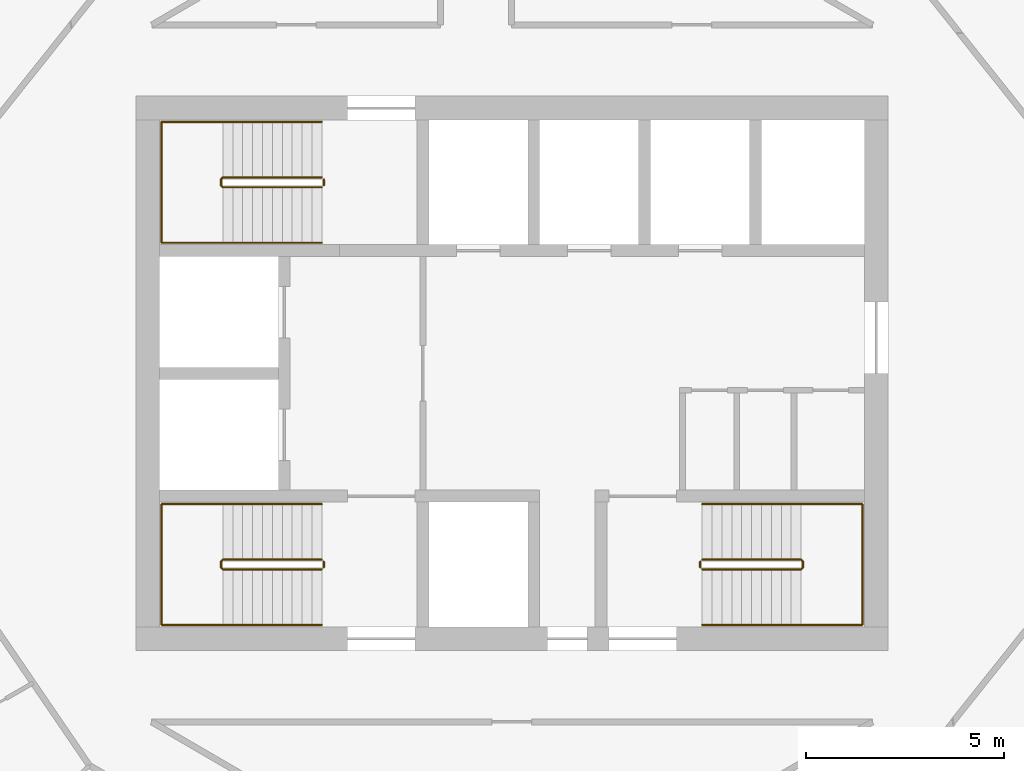
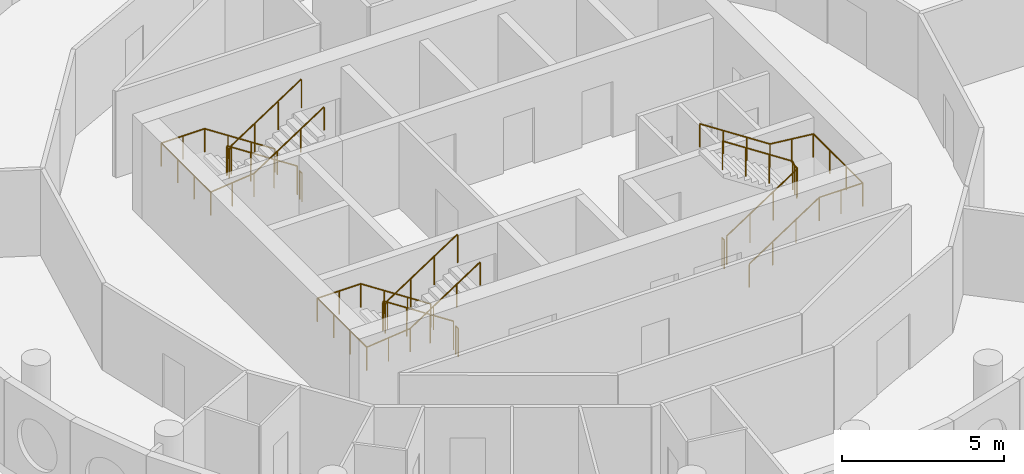
# One storey, part 12 of 12: 9 railings.
"""IFC4 building model written with IfcOpenShell, lengths in metres."""

import ifcopenshell
import ifcopenshell.guid

model = None  # the IFC model being written
_history = None  # IfcOwnerHistory: only IFC2X3 demands one
_inside = {}  # id of a spatial element -> (the spatial element, [elements in it])
_under = {}  # id of a project, library or spatial element -> (it, [spatial elements below it])
_declared = {}  # id of a project -> (the project, [libraries it declares])
_typed = {}  # id of a type object -> (the type object, [elements of that type])
_made_of = {}  # id of a material, layer set ... -> (it, [elements and type objects made of it])


def new_model(schema):
    """Start an empty IFC model of exactly this schema.

    Asked for "IFC4X3", IfcOpenShell would pick the latest addendum, in which some entities
    have other attributes; the version numbers below select the first issue.
    IFC2X3 requires an IfcOwnerHistory on every rooted entity: one is made here for all.
    """
    global model, _history
    if schema == "IFC4X3":
        model = ifcopenshell.file(schema_version=(4, 3, 0, 0))
    else:
        model = ifcopenshell.file(schema=schema)
    _inside.clear()
    _under.clear()
    _declared.clear()
    _typed.clear()
    _made_of.clear()
    _history = None
    if model.schema == "IFC2X3":
        org = make("IfcOrganization", Name="unknown")
        user = make(
            "IfcPersonAndOrganization",
            ThePerson=make("IfcPerson", FamilyName="unknown"),
            TheOrganization=org,
        )
        app = make(
            "IfcApplication",
            ApplicationDeveloper=org,
            Version="unknown",
            ApplicationFullName="unknown",
            ApplicationIdentifier="unknown",
        )
        _history = make(
            "IfcOwnerHistory",
            OwningUser=user,
            OwningApplication=app,
            ChangeAction="ADDED",
            CreationDate=0,
        )
    return model


def make(cls, **values):
    """One entity of the class cls with the attributes given. An attribute that is None is left unset."""
    return model.create_entity(
        cls, **{name: value for name, value in values.items() if value is not None}
    )


def rooted(cls, **values):
    """An entity with a GlobalId (a new one), such as an element, a storey or a relation."""
    return make(cls, GlobalId=ifcopenshell.guid.new(), OwnerHistory=_history, **values)


def si_unit(unit_type, name, prefix=None):
    """IfcSIUnit, for example si_unit("LENGTHUNIT", "METRE", prefix="MILLI")."""
    return make("IfcSIUnit", UnitType=unit_type, Prefix=prefix, Name=name)


def assignment(units):
    """IfcUnitAssignment: the units of a project."""
    return None if units is None else make("IfcUnitAssignment", Units=units)


def point(xyz):
    """IfcCartesianPoint."""
    return None if xyz is None else make("IfcCartesianPoint", Coordinates=xyz)


def direction(xyz):
    """IfcDirection."""
    return None if xyz is None else make("IfcDirection", DirectionRatios=xyz)


def frame(location, z_axis=None, x_axis=None):
    """IfcAxis2Placement3D, a coordinate frame: its origin and axes. An axis left out is left unset."""
    return make(
        "IfcAxis2Placement3D",
        Location=point(location),
        Axis=direction(z_axis),
        RefDirection=direction(x_axis),
    )


def frame_2d(location, x_axis=None):
    """IfcAxis2Placement2D, a coordinate frame in the plane: its origin and x axis."""
    return make(
        "IfcAxis2Placement2D", Location=point(location), RefDirection=direction(x_axis)
    )


def origin():
    """The frame at (0, 0, 0) with its axes left unset."""
    return frame((0.0, 0.0, 0.0))


def origin_2d():
    """The frame at (0, 0) in the plane with its x axis left unset."""
    return frame_2d((0.0, 0.0))


def place(relative_to, where):
    """IfcLocalPlacement: puts the frame where relative to a parent placement (None: the world)."""
    return make(
        "IfcLocalPlacement", PlacementRelTo=relative_to, RelativePlacement=where
    )


def context(
    kind, dimensions, precision=None, world=None, true_north=None, identifier=None
):
    """IfcGeometricRepresentationContext, for example the 3D "Model" context."""
    return make(
        "IfcGeometricRepresentationContext",
        ContextIdentifier=identifier,
        ContextType=kind,
        CoordinateSpaceDimension=dimensions,
        Precision=precision,
        WorldCoordinateSystem=world,
        TrueNorth=true_north,
    )


def subcontext(parent, identifier, kind, view, scale=None):
    """IfcGeometricRepresentationSubContext, for example "Body" below "Model"."""
    return make(
        "IfcGeometricRepresentationSubContext",
        ContextIdentifier=identifier,
        ContextType=kind,
        ParentContext=parent,
        TargetScale=scale,
        TargetView=view,
    )


def project(units=None, contexts=None):
    """IfcProject with its units and contexts."""
    return rooted(
        "IfcProject",
        Name="project",
        RepresentationContexts=contexts,
        UnitsInContext=assignment(units),
    )


def spatial(cls, under=None, at=None, **own):
    """A site, building, storey or space (cls), placed at a placement, below another one or the project."""
    s = rooted(cls, ObjectPlacement=at, **own)
    if under is not None:
        _under.setdefault(under.id(), (under, []))[1].append(s)
    return s


def profile(cls, at=None, kind="AREA", **sizes):
    """A parametric profile (cls). Its sizes go by their IFC names, for example OverallWidth=200.0."""
    return make(cls, ProfileType=kind, Position=at, **sizes)


def circle(**sizes):
    """IfcCircleProfileDef."""
    return profile("IfcCircleProfileDef", **sizes)


def extrude(swept, where, along, depth):
    """IfcExtrudedAreaSolid: the profile swept, set in the frame where, extruded along a direction by depth."""
    return make(
        "IfcExtrudedAreaSolid",
        SweptArea=swept,
        Position=where,
        ExtrudedDirection=direction(along),
        Depth=depth,
    )


def shape(context_of_items, identifier, shape_type, items):
    """IfcShapeRepresentation: the items that make up one representation, for example the "Body"."""
    return make(
        "IfcShapeRepresentation",
        ContextOfItems=context_of_items,
        RepresentationIdentifier=identifier,
        RepresentationType=shape_type,
        Items=items,
    )


def material(Name=None, Category=None):
    """IfcMaterial."""
    return make("IfcMaterial", Name=Name, Category=Category)


def made_of(thing, what):
    """Note that an element or type object is made of a material, layer set ...; save() writes the relation."""
    if what is not None:
        _made_of.setdefault(what.id(), (what, []))[1].append(thing)
    return thing


def type_object(cls, material=None, **own):
    """A type object (cls), such as IfcWallType, which elements share."""
    return made_of(rooted(cls, **own), material)


def element(
    cls,
    number,
    at=None,
    inside=None,
    cuts=None,
    type_object=None,
    material=None,
    context=None,
    identifier="Body",
    shape_type=None,
    held_by="IfcProductDefinitionShape",
    body=None,
    shapes=None,
    **own,
):
    """One element of the class cls, such as IfcWall. Its Tag is "e" and its number.

    at: its placement. inside: the storey or other place that contains it. cuts: it is an
    opening in that element (IfcRelVoidsElement). A single representation is given by context,
    identifier, shape_type and body (its items); several are given by shapes. held_by: the class
    of the entity that holds the representations. save() writes the other relations.
    """
    e = rooted(cls, Tag="e%d" % number, ObjectPlacement=at, **own)
    if body is not None:
        shapes = [shape(context, identifier, shape_type, body)]
    if shapes is not None:
        e.Representation = make(held_by, Representations=shapes)
    if inside is not None:
        _inside.setdefault(inside.id(), (inside, []))[1].append(e)
    if cuts is not None:
        rooted(
            "IfcRelVoidsElement", RelatingBuildingElement=cuts, RelatedOpeningElement=e
        )
    if type_object is not None:
        _typed.setdefault(type_object.id(), (type_object, []))[1].append(e)
    return made_of(e, material)


def aggregate(whole, parts):
    """IfcRelAggregates: a whole, such as a stair, and the parts it consists of."""
    return rooted("IfcRelAggregates", RelatingObject=whole, RelatedObjects=parts)


def save(model, path):
    """Write the relations noted so far, then the file.

    IfcRelAggregates (storeys below a building ...), IfcRelContainedInSpatialStructure (elements
    in a storey), IfcRelDefinesByType, IfcRelAssociatesMaterial and IfcRelDeclares: one each for
    every whole, place, type object, material and project.
    """
    for whole, parts in _under.values():
        aggregate(whole, parts)
    for where, things in _inside.values():
        rooted(
            "IfcRelContainedInSpatialStructure",
            RelatedElements=things,
            RelatingStructure=where,
        )
    for kind, things in _typed.values():
        rooted("IfcRelDefinesByType", RelatedObjects=things, RelatingType=kind)
    for what, things in _made_of.values():
        rooted("IfcRelAssociatesMaterial", RelatedObjects=things, RelatingMaterial=what)
    for by, libraries in _declared.values():
        rooted("IfcRelDeclares", RelatingContext=by, RelatedDefinitions=libraries)
    model.write(path)


model = new_model("IFC4")

# Units and contexts
model_context = context("Model", 3, precision=1e-05, world=origin(), true_north=direction((0.0, 1.0)))
body_context = subcontext(model_context, "Body", "Model", "MODEL_VIEW")
ifc_project = project(units=[si_unit("LENGTHUNIT", "METRE"), si_unit("AREAUNIT", "SQUARE_METRE"), si_unit("VOLUMEUNIT", "CUBIC_METRE"), si_unit("PLANEANGLEUNIT", "RADIAN"), si_unit("MASSUNIT", "GRAM", prefix="KILO")], contexts=[model_context])

# Site, building, storey
site_placement = place(None, origin())
site = spatial("IfcSite", under=ifc_project, at=site_placement, CompositionType="ELEMENT")
building_placement = place(site_placement, origin())
building = spatial("IfcBuilding", under=site, at=building_placement, Name="Tracery Tower", CompositionType="ELEMENT")
storey_placement = place(building_placement, frame((0.0, 0.0, 327.0)))
storey = spatial("IfcBuildingStorey", under=building, at=storey_placement, Name="L85", CompositionType="ELEMENT", Elevation=327.0)

# Railings
ifc_material_1 = material(Name="Stainless steel and laminated glass", Category="steel")
railing_type_1 = type_object("IfcRailingType", Name="Stair guard 1100", PredefinedType="GUARDRAIL", material=ifc_material_1)
railing_1_placement = place(storey_placement, frame((-4.800048828125, -4.699951171875, 0.16357421875)))
element("IfcRailing", 1, at=railing_1_placement, inside=storey, type_object=railing_type_1, Name="L85 stair ST1 guard 1", PredefinedType="GUARDRAIL", context=body_context, shape_type="SweptSolid", body=[
    extrude(circle(Radius=0.02392578125, at=origin_2d()), frame((0.0, 0.0, 1.076171875), z_axis=(-0.83668449804, 0.0, 0.54768517484), x_axis=(0.0, -1.0, 0.0)), (0.0, 0.0, 1.0), 2.988037109375),
    extrude(circle(Radius=0.02392578125, at=origin_2d()), frame((-2.5, 0.0, 2.71240234375), z_axis=(-0.707106781187, -0.707106781187, 0.0), x_axis=(0.707106781187, -0.707106781187, 0.0)), (0.0, 0.0, 1.0), 0.07080078125),
    extrude(circle(Radius=0.02392578125, at=origin_2d()), frame((-2.550048828125, -0.050048828125, 2.71240234375), z_axis=(0.0, -1.0, 0.0), x_axis=(1.0, 0.0, 0.0)), (0.0, 0.0, 1.0), 0.14990234375),
    extrude(circle(Radius=0.02392578125, at=origin_2d()), frame((-2.550048828125, -0.199951171875, 2.71240234375), z_axis=(0.280808744504, -0.280808744504, 0.917765164963), x_axis=(0.707106781187, 0.707106781187, 0.0)), (0.0, 0.0, 1.0), 0.17822265625),
    extrude(circle(Radius=0.02392578125, at=origin_2d()), frame((-2.5, -0.25, 2.8759765625), z_axis=(0.83668449804, 0.0, 0.54768517484), x_axis=(0.0, 1.0, 0.0)), (0.0, 0.0, 1.0), 2.988037109375),
    extrude(circle(Radius=0.02099609375, at=origin_2d()), origin(), (0.0, 0.0, 1.0), 1.052001953125),
    extrude(circle(Radius=0.02099609375, at=origin_2d()), frame((-0.833251953125, 0.0, 0.54541015625)), (0.0, 0.0, 1.0), 1.052001953125),
    extrude(circle(Radius=0.02099609375, at=origin_2d()), frame((-1.666748046875, 0.0, 1.091064453125)), (0.0, 0.0, 1.0), 1.052001953125),
    extrude(circle(Radius=0.02099609375, at=origin_2d()), frame((-2.5, 0.0, 1.636474609375)), (0.0, 0.0, 1.0), 1.052001953125),
    extrude(circle(Radius=0.02099609375, at=origin_2d()), frame((-2.550048828125, -0.050048828125, 1.636474609375)), (0.0, 0.0, 1.0), 1.052001953125),
    extrude(circle(Radius=0.02099609375, at=origin_2d()), frame((-2.550048828125, -0.199951171875, 1.636474609375)), (0.0, 0.0, 1.0), 1.052001953125),
    extrude(circle(Radius=0.02099609375, at=origin_2d()), frame((-2.5, -0.25, 1.800048828125)), (0.0, 0.0, 1.0), 1.052001953125),
    extrude(circle(Radius=0.02099609375, at=origin_2d()), frame((-1.666748046875, -0.25, 2.345458984375)), (0.0, 0.0, 1.0), 1.052001953125),
    extrude(circle(Radius=0.02099609375, at=origin_2d()), frame((-0.833251953125, -0.25, 2.89111328125)), (0.0, 0.0, 1.0), 1.052001953125),
    extrude(circle(Radius=0.02099609375, at=origin_2d()), frame((0.0, -0.25, 3.4365234375)), (0.0, 0.0, 1.0), 1.052001953125),
])
railing_2_placement = place(storey_placement, frame((-4.75, -4.75, 0.0)))
element("IfcRailing", 2, at=railing_2_placement, inside=storey, type_object=railing_type_1, Name="L85 stair ST1 guard 2", PredefinedType="GUARDRAIL", context=body_context, shape_type="SweptSolid", body=[
    extrude(circle(Radius=0.02392578125, at=origin_2d()), frame((0.0, 0.0, 1.076171875), z_axis=(0.0, -1.0, 0.0), x_axis=(1.0, 0.0, 0.0)), (0.0, 0.0, 1.0), 0.14990234375),
    extrude(circle(Radius=0.02099609375, at=origin_2d()), origin(), (0.0, 0.0, 1.0), 1.052001953125),
    extrude(circle(Radius=0.02099609375, at=origin_2d()), frame((0.0, -0.14990234375, 0.0)), (0.0, 0.0, 1.0), 1.052001953125),
])
railing_3_placement = place(storey_placement, frame((-4.800048828125, 4.949951171875, 0.16357421875)))
element("IfcRailing", 3, at=railing_3_placement, inside=storey, type_object=railing_type_1, Name="L85 stair ST3 guard 1", PredefinedType="GUARDRAIL", context=body_context, shape_type="SweptSolid", body=[
    extrude(circle(Radius=0.02392578125, at=origin_2d()), frame((0.0, 0.0, 1.076171875), z_axis=(-0.83668449804, 0.0, 0.54768517484), x_axis=(0.0, -1.0, 0.0)), (0.0, 0.0, 1.0), 2.988037109375),
    extrude(circle(Radius=0.02392578125, at=origin_2d()), frame((-2.5, 0.0, 2.71240234375), z_axis=(-0.707106781187, -0.707106781187, 0.0), x_axis=(0.707106781187, -0.707106781187, 0.0)), (0.0, 0.0, 1.0), 0.07080078125),
    extrude(circle(Radius=0.02392578125, at=origin_2d()), frame((-2.550048828125, -0.050048828125, 2.71240234375), z_axis=(0.0, -1.0, 0.0), x_axis=(1.0, 0.0, 0.0)), (0.0, 0.0, 1.0), 0.14990234375),
    extrude(circle(Radius=0.02392578125, at=origin_2d()), frame((-2.550048828125, -0.199951171875, 2.71240234375), z_axis=(0.280808744504, -0.280808744504, 0.917765164963), x_axis=(0.707106781187, 0.707106781187, 0.0)), (0.0, 0.0, 1.0), 0.17822265625),
    extrude(circle(Radius=0.02392578125, at=origin_2d()), frame((-2.5, -0.25, 2.8759765625), z_axis=(0.83668449804, 0.0, 0.54768517484), x_axis=(0.0, 1.0, 0.0)), (0.0, 0.0, 1.0), 2.988037109375),
    extrude(circle(Radius=0.02099609375, at=origin_2d()), origin(), (0.0, 0.0, 1.0), 1.052001953125),
    extrude(circle(Radius=0.02099609375, at=origin_2d()), frame((-0.833251953125, 0.0, 0.54541015625)), (0.0, 0.0, 1.0), 1.052001953125),
    extrude(circle(Radius=0.02099609375, at=origin_2d()), frame((-1.666748046875, 0.0, 1.091064453125)), (0.0, 0.0, 1.0), 1.052001953125),
    extrude(circle(Radius=0.02099609375, at=origin_2d()), frame((-2.5, 0.0, 1.636474609375)), (0.0, 0.0, 1.0), 1.052001953125),
    extrude(circle(Radius=0.02099609375, at=origin_2d()), frame((-2.550048828125, -0.050048828125, 1.636474609375)), (0.0, 0.0, 1.0), 1.052001953125),
    extrude(circle(Radius=0.02099609375, at=origin_2d()), frame((-2.550048828125, -0.199951171875, 1.636474609375)), (0.0, 0.0, 1.0), 1.052001953125),
    extrude(circle(Radius=0.02099609375, at=origin_2d()), frame((-2.5, -0.25, 1.800048828125)), (0.0, 0.0, 1.0), 1.052001953125),
    extrude(circle(Radius=0.02099609375, at=origin_2d()), frame((-1.666748046875, -0.25, 2.345458984375)), (0.0, 0.0, 1.0), 1.052001953125),
    extrude(circle(Radius=0.02099609375, at=origin_2d()), frame((-0.833251953125, -0.25, 2.89111328125)), (0.0, 0.0, 1.0), 1.052001953125),
    extrude(circle(Radius=0.02099609375, at=origin_2d()), frame((0.0, -0.25, 3.4365234375)), (0.0, 0.0, 1.0), 1.052001953125),
])
railing_4_placement = place(storey_placement, frame((-4.75, 4.89990234375, 0.0)))
element("IfcRailing", 4, at=railing_4_placement, inside=storey, type_object=railing_type_1, Name="L85 stair ST3 guard 2", PredefinedType="GUARDRAIL", context=body_context, shape_type="SweptSolid", body=[
    extrude(circle(Radius=0.02392578125, at=origin_2d()), frame((0.0, 0.0, 1.076171875), z_axis=(0.0, -1.0, 0.0), x_axis=(1.0, 0.0, 0.0)), (0.0, 0.0, 1.0), 0.14990234375),
    extrude(circle(Radius=0.02099609375, at=origin_2d()), origin(), (0.0, 0.0, 1.0), 1.052001953125),
    extrude(circle(Radius=0.02099609375, at=origin_2d()), frame((0.0, -0.14990234375, 0.0)), (0.0, 0.0, 1.0), 1.052001953125),
])
railing_5_placement = place(storey_placement, frame((4.800048828125, -4.949951171875, 0.16357421875)))
element("IfcRailing", 5, at=railing_5_placement, inside=storey, type_object=railing_type_1, Name="L85 stair ST2 guard 1", PredefinedType="GUARDRAIL", context=body_context, shape_type="SweptSolid", body=[
    extrude(circle(Radius=0.02392578125, at=origin_2d()), frame((0.0, 0.0, 1.076171875), z_axis=(0.83668449804, 0.0, 0.54768517484), x_axis=(0.0, 1.0, 0.0)), (0.0, 0.0, 1.0), 2.988037109375),
    extrude(circle(Radius=0.02392578125, at=origin_2d()), frame((2.5, 0.0, 2.71240234375), z_axis=(0.707106781187, 0.707106781187, 0.0), x_axis=(-0.707106781187, 0.707106781187, 0.0)), (0.0, 0.0, 1.0), 0.07080078125),
    extrude(circle(Radius=0.02392578125, at=origin_2d()), frame((2.550048828125, 0.050048828125, 2.71240234375), z_axis=(0.0, 1.0, 0.0), x_axis=(-1.0, 0.0, 0.0)), (0.0, 0.0, 1.0), 0.14990234375),
    extrude(circle(Radius=0.02392578125, at=origin_2d()), frame((2.550048828125, 0.199951171875, 2.71240234375), z_axis=(-0.280808744504, 0.280808744504, 0.917765164963), x_axis=(-0.707106781187, -0.707106781187, 0.0)), (0.0, 0.0, 1.0), 0.17822265625),
    extrude(circle(Radius=0.02392578125, at=origin_2d()), frame((2.5, 0.25, 2.8759765625), z_axis=(-0.83668449804, 0.0, 0.54768517484), x_axis=(0.0, -1.0, 0.0)), (0.0, 0.0, 1.0), 2.988037109375),
    extrude(circle(Radius=0.02099609375, at=origin_2d()), origin(), (0.0, 0.0, 1.0), 1.052001953125),
    extrude(circle(Radius=0.02099609375, at=origin_2d()), frame((0.833251953125, 0.0, 0.54541015625)), (0.0, 0.0, 1.0), 1.052001953125),
    extrude(circle(Radius=0.02099609375, at=origin_2d()), frame((1.666748046875, 0.0, 1.091064453125)), (0.0, 0.0, 1.0), 1.052001953125),
    extrude(circle(Radius=0.02099609375, at=origin_2d()), frame((2.5, 0.0, 1.636474609375)), (0.0, 0.0, 1.0), 1.052001953125),
    extrude(circle(Radius=0.02099609375, at=origin_2d()), frame((2.550048828125, 0.050048828125, 1.636474609375)), (0.0, 0.0, 1.0), 1.052001953125),
    extrude(circle(Radius=0.02099609375, at=origin_2d()), frame((2.550048828125, 0.199951171875, 1.636474609375)), (0.0, 0.0, 1.0), 1.052001953125),
    extrude(circle(Radius=0.02099609375, at=origin_2d()), frame((2.5, 0.25, 1.800048828125)), (0.0, 0.0, 1.0), 1.052001953125),
    extrude(circle(Radius=0.02099609375, at=origin_2d()), frame((1.666748046875, 0.25, 2.345458984375)), (0.0, 0.0, 1.0), 1.052001953125),
    extrude(circle(Radius=0.02099609375, at=origin_2d()), frame((0.833251953125, 0.25, 2.89111328125)), (0.0, 0.0, 1.0), 1.052001953125),
    extrude(circle(Radius=0.02099609375, at=origin_2d()), frame((0.0, 0.25, 3.4365234375)), (0.0, 0.0, 1.0), 1.052001953125),
])
railing_6_placement = place(storey_placement, frame((4.75, -4.89990234375, 0.0)))
element("IfcRailing", 6, at=railing_6_placement, inside=storey, type_object=railing_type_1, Name="L85 stair ST2 guard 2", PredefinedType="GUARDRAIL", context=body_context, shape_type="SweptSolid", body=[
    extrude(circle(Radius=0.02392578125, at=origin_2d()), frame((0.0, 0.0, 1.076171875), z_axis=(0.0, 1.0, 0.0), x_axis=(-1.0, 0.0, 0.0)), (0.0, 0.0, 1.0), 0.14990234375),
    extrude(circle(Radius=0.02099609375, at=origin_2d()), origin(), (0.0, 0.0, 1.0), 1.052001953125),
    extrude(circle(Radius=0.02099609375, at=origin_2d()), frame((0.0, 0.14990234375, 0.0)), (0.0, 0.0, 1.0), 1.052001953125),
])
ifc_material_2 = material(Name="Stainless steel and laminated glass", Category="steel")
railing_type_2 = type_object("IfcRailingType", Name="Stair handrail 900", PredefinedType="HANDRAIL", material=ifc_material_2)
railing_7_placement = place(storey_placement, frame((-4.800048828125, -3.300048828125, 0.16357421875)))
element("IfcRailing", 7, at=railing_7_placement, inside=storey, type_object=railing_type_2, Name="L85 stair ST1 handrail 1", PredefinedType="HANDRAIL", context=body_context, shape_type="SweptSolid", body=[
    extrude(circle(Radius=0.02392578125, at=origin_2d()), frame((0.0, 0.0, 0.8759765625), z_axis=(-0.83668449804, 0.0, 0.54768517484), x_axis=(0.0, -1.0, 0.0)), (0.0, 0.0, 1.0), 2.988037109375),
    extrude(circle(Radius=0.02392578125, at=origin_2d()), frame((-2.5, 0.0, 2.51220703125), z_axis=(-1.0, 0.0, 0.0), x_axis=(0.0, -1.0, 0.0)), (0.0, 0.0, 1.0), 1.550048828125),
    extrude(circle(Radius=0.02392578125, at=origin_2d()), frame((-4.050048828125, 0.0, 2.51220703125), z_axis=(0.0, -1.0, 0.0), x_axis=(1.0, 0.0, 0.0)), (0.0, 0.0, 1.0), 3.050048828125),
    extrude(circle(Radius=0.02392578125, at=origin_2d()), frame((-4.050048828125, -3.050048828125, 2.51220703125), z_axis=(0.994477953863, 0.0, 0.104945696817), x_axis=(0.0, 1.0, 0.0)), (0.0, 0.0, 1.0), 1.55859375),
    extrude(circle(Radius=0.02392578125, at=origin_2d()), frame((-2.5, -3.050048828125, 2.67578125), z_axis=(0.83668449804, 0.0, 0.54768517484), x_axis=(0.0, 1.0, 0.0)), (0.0, 0.0, 1.0), 2.988037109375),
    extrude(circle(Radius=0.02099609375, at=origin_2d()), origin(), (0.0, 0.0, 1.0), 0.851806640625),
    extrude(circle(Radius=0.02099609375, at=origin_2d()), frame((-0.833251953125, 0.0, 0.54541015625)), (0.0, 0.0, 1.0), 0.851806640625),
    extrude(circle(Radius=0.02099609375, at=origin_2d()), frame((-1.666748046875, 0.0, 1.091064453125)), (0.0, 0.0, 1.0), 0.851806640625),
    extrude(circle(Radius=0.02099609375, at=origin_2d()), frame((-2.5, 0.0, 1.636474609375)), (0.0, 0.0, 1.0), 0.851806640625),
    extrude(circle(Radius=0.02099609375, at=origin_2d()), frame((-3.27490234375, 0.0, 1.636474609375)), (0.0, 0.0, 1.0), 0.851806640625),
    extrude(circle(Radius=0.02099609375, at=origin_2d()), frame((-4.050048828125, 0.0, 1.636474609375)), (0.0, 0.0, 1.0), 0.851806640625),
    extrude(circle(Radius=0.02099609375, at=origin_2d()), frame((-4.050048828125, -1.0166015625, 1.636474609375)), (0.0, 0.0, 1.0), 0.851806640625),
    extrude(circle(Radius=0.02099609375, at=origin_2d()), frame((-4.050048828125, -2.033447265625, 1.636474609375)), (0.0, 0.0, 1.0), 0.851806640625),
    extrude(circle(Radius=0.02099609375, at=origin_2d()), frame((-4.050048828125, -3.050048828125, 1.636474609375)), (0.0, 0.0, 1.0), 0.851806640625),
    extrude(circle(Radius=0.02099609375, at=origin_2d()), frame((-3.27490234375, -3.050048828125, 1.71826171875)), (0.0, 0.0, 1.0), 0.851806640625),
    extrude(circle(Radius=0.02099609375, at=origin_2d()), frame((-2.5, -3.050048828125, 1.800048828125)), (0.0, 0.0, 1.0), 0.851806640625),
    extrude(circle(Radius=0.02099609375, at=origin_2d()), frame((-1.666748046875, -3.050048828125, 2.345458984375)), (0.0, 0.0, 1.0), 0.851806640625),
    extrude(circle(Radius=0.02099609375, at=origin_2d()), frame((-0.833251953125, -3.050048828125, 2.89111328125)), (0.0, 0.0, 1.0), 0.851806640625),
    extrude(circle(Radius=0.02099609375, at=origin_2d()), frame((0.0, -3.050048828125, 3.4365234375)), (0.0, 0.0, 1.0), 0.851806640625),
])
railing_8_placement = place(storey_placement, frame((-4.800048828125, 6.35009765625, 0.16357421875)))
element("IfcRailing", 8, at=railing_8_placement, inside=storey, type_object=railing_type_2, Name="L85 stair ST3 handrail 1", PredefinedType="HANDRAIL", context=body_context, shape_type="SweptSolid", body=[
    extrude(circle(Radius=0.02392578125, at=origin_2d()), frame((0.0, 0.0, 0.8759765625), z_axis=(-0.83668449804, 0.0, 0.54768517484), x_axis=(0.0, -1.0, 0.0)), (0.0, 0.0, 1.0), 2.988037109375),
    extrude(circle(Radius=0.02392578125, at=origin_2d()), frame((-2.5, 0.0, 2.51220703125), z_axis=(-1.0, 0.0, 0.0), x_axis=(0.0, -1.0, 0.0)), (0.0, 0.0, 1.0), 1.550048828125),
    extrude(circle(Radius=0.02392578125, at=origin_2d()), frame((-4.050048828125, 0.0, 2.51220703125), z_axis=(0.0, -1.0, 0.0), x_axis=(1.0, 0.0, 0.0)), (0.0, 0.0, 1.0), 3.050048828125),
    extrude(circle(Radius=0.02392578125, at=origin_2d()), frame((-4.050048828125, -3.050048828125, 2.51220703125), z_axis=(0.994477953863, 0.0, 0.104945696817), x_axis=(0.0, 1.0, 0.0)), (0.0, 0.0, 1.0), 1.55859375),
    extrude(circle(Radius=0.02392578125, at=origin_2d()), frame((-2.5, -3.050048828125, 2.67578125), z_axis=(0.83668449804, 0.0, 0.54768517484), x_axis=(0.0, 1.0, 0.0)), (0.0, 0.0, 1.0), 2.988037109375),
    extrude(circle(Radius=0.02099609375, at=origin_2d()), origin(), (0.0, 0.0, 1.0), 0.851806640625),
    extrude(circle(Radius=0.02099609375, at=origin_2d()), frame((-0.833251953125, 0.0, 0.54541015625)), (0.0, 0.0, 1.0), 0.851806640625),
    extrude(circle(Radius=0.02099609375, at=origin_2d()), frame((-1.666748046875, 0.0, 1.091064453125)), (0.0, 0.0, 1.0), 0.851806640625),
    extrude(circle(Radius=0.02099609375, at=origin_2d()), frame((-2.5, 0.0, 1.636474609375)), (0.0, 0.0, 1.0), 0.851806640625),
    extrude(circle(Radius=0.02099609375, at=origin_2d()), frame((-3.27490234375, 0.0, 1.636474609375)), (0.0, 0.0, 1.0), 0.851806640625),
    extrude(circle(Radius=0.02099609375, at=origin_2d()), frame((-4.050048828125, 0.0, 1.636474609375)), (0.0, 0.0, 1.0), 0.851806640625),
    extrude(circle(Radius=0.02099609375, at=origin_2d()), frame((-4.050048828125, -1.0166015625, 1.636474609375)), (0.0, 0.0, 1.0), 0.851806640625),
    extrude(circle(Radius=0.02099609375, at=origin_2d()), frame((-4.050048828125, -2.033447265625, 1.636474609375)), (0.0, 0.0, 1.0), 0.851806640625),
    extrude(circle(Radius=0.02099609375, at=origin_2d()), frame((-4.050048828125, -3.050048828125, 1.636474609375)), (0.0, 0.0, 1.0), 0.851806640625),
    extrude(circle(Radius=0.02099609375, at=origin_2d()), frame((-3.27490234375, -3.050048828125, 1.71826171875)), (0.0, 0.0, 1.0), 0.851806640625),
    extrude(circle(Radius=0.02099609375, at=origin_2d()), frame((-2.5, -3.050048828125, 1.800048828125)), (0.0, 0.0, 1.0), 0.851806640625),
    extrude(circle(Radius=0.02099609375, at=origin_2d()), frame((-1.666748046875, -3.050048828125, 2.345458984375)), (0.0, 0.0, 1.0), 0.851806640625),
    extrude(circle(Radius=0.02099609375, at=origin_2d()), frame((-0.833251953125, -3.050048828125, 2.89111328125)), (0.0, 0.0, 1.0), 0.851806640625),
    extrude(circle(Radius=0.02099609375, at=origin_2d()), frame((0.0, -3.050048828125, 3.4365234375)), (0.0, 0.0, 1.0), 0.851806640625),
])
railing_9_placement = place(storey_placement, frame((4.800048828125, -6.35009765625, 0.16357421875)))
element("IfcRailing", 9, at=railing_9_placement, inside=storey, type_object=railing_type_2, Name="L85 stair ST2 handrail 1", PredefinedType="HANDRAIL", context=body_context, shape_type="SweptSolid", body=[
    extrude(circle(Radius=0.02392578125, at=origin_2d()), frame((0.0, 0.0, 0.8759765625), z_axis=(0.83668449804, 0.0, 0.54768517484), x_axis=(0.0, 1.0, 0.0)), (0.0, 0.0, 1.0), 2.988037109375),
    extrude(circle(Radius=0.02392578125, at=origin_2d()), frame((2.5, 0.0, 2.51220703125), z_axis=(1.0, 0.0, 0.0), x_axis=(0.0, 1.0, 0.0)), (0.0, 0.0, 1.0), 1.550048828125),
    extrude(circle(Radius=0.02392578125, at=origin_2d()), frame((4.050048828125, 0.0, 2.51220703125), z_axis=(0.0, 1.0, 0.0), x_axis=(-1.0, 0.0, 0.0)), (0.0, 0.0, 1.0), 3.050048828125),
    extrude(circle(Radius=0.02392578125, at=origin_2d()), frame((4.050048828125, 3.050048828125, 2.51220703125), z_axis=(-0.994477953863, 0.0, 0.104945696817), x_axis=(0.0, -1.0, 0.0)), (0.0, 0.0, 1.0), 1.55859375),
    extrude(circle(Radius=0.02392578125, at=origin_2d()), frame((2.5, 3.050048828125, 2.67578125), z_axis=(-0.83668449804, 0.0, 0.54768517484), x_axis=(0.0, -1.0, 0.0)), (0.0, 0.0, 1.0), 2.988037109375),
    extrude(circle(Radius=0.02099609375, at=origin_2d()), origin(), (0.0, 0.0, 1.0), 0.851806640625),
    extrude(circle(Radius=0.02099609375, at=origin_2d()), frame((0.833251953125, 0.0, 0.54541015625)), (0.0, 0.0, 1.0), 0.851806640625),
    extrude(circle(Radius=0.02099609375, at=origin_2d()), frame((1.666748046875, 0.0, 1.091064453125)), (0.0, 0.0, 1.0), 0.851806640625),
    extrude(circle(Radius=0.02099609375, at=origin_2d()), frame((2.5, 0.0, 1.636474609375)), (0.0, 0.0, 1.0), 0.851806640625),
    extrude(circle(Radius=0.02099609375, at=origin_2d()), frame((3.27490234375, 0.0, 1.636474609375)), (0.0, 0.0, 1.0), 0.851806640625),
    extrude(circle(Radius=0.02099609375, at=origin_2d()), frame((4.050048828125, 0.0, 1.636474609375)), (0.0, 0.0, 1.0), 0.851806640625),
    extrude(circle(Radius=0.02099609375, at=origin_2d()), frame((4.050048828125, 1.0166015625, 1.636474609375)), (0.0, 0.0, 1.0), 0.851806640625),
    extrude(circle(Radius=0.02099609375, at=origin_2d()), frame((4.050048828125, 2.033447265625, 1.636474609375)), (0.0, 0.0, 1.0), 0.851806640625),
    extrude(circle(Radius=0.02099609375, at=origin_2d()), frame((4.050048828125, 3.050048828125, 1.636474609375)), (0.0, 0.0, 1.0), 0.851806640625),
    extrude(circle(Radius=0.02099609375, at=origin_2d()), frame((3.27490234375, 3.050048828125, 1.71826171875)), (0.0, 0.0, 1.0), 0.851806640625),
    extrude(circle(Radius=0.02099609375, at=origin_2d()), frame((2.5, 3.050048828125, 1.800048828125)), (0.0, 0.0, 1.0), 0.851806640625),
    extrude(circle(Radius=0.02099609375, at=origin_2d()), frame((1.666748046875, 3.050048828125, 2.345458984375)), (0.0, 0.0, 1.0), 0.851806640625),
    extrude(circle(Radius=0.02099609375, at=origin_2d()), frame((0.833251953125, 3.050048828125, 2.89111328125)), (0.0, 0.0, 1.0), 0.851806640625),
    extrude(circle(Radius=0.02099609375, at=origin_2d()), frame((0.0, 3.050048828125, 3.4365234375)), (0.0, 0.0, 1.0), 0.851806640625),
])

save(model, "model.ifc")
